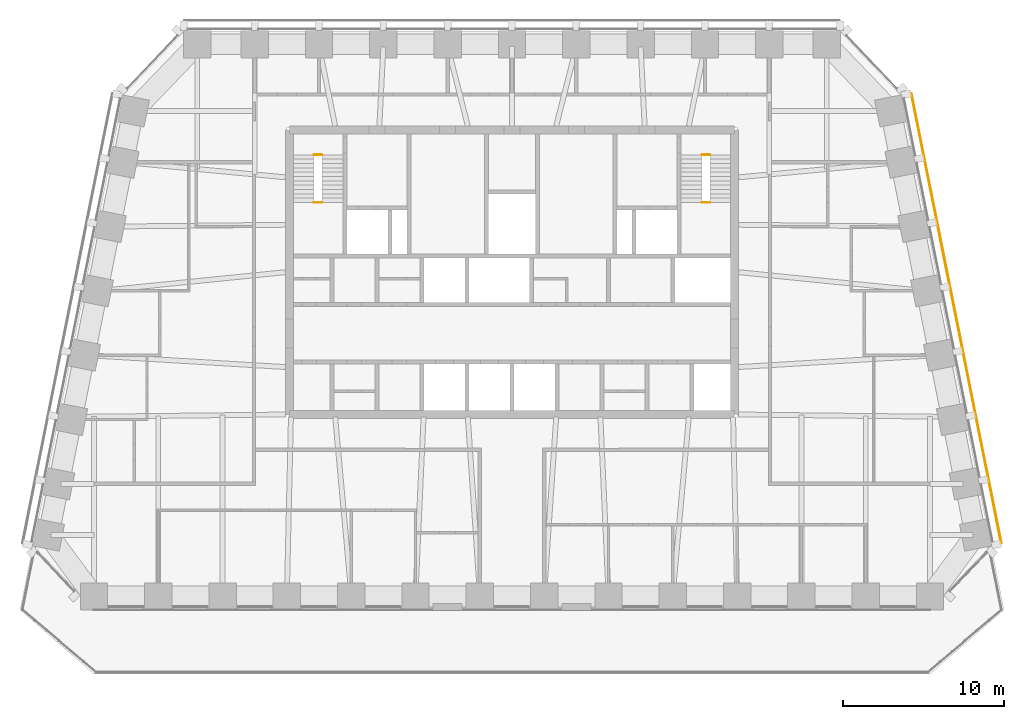
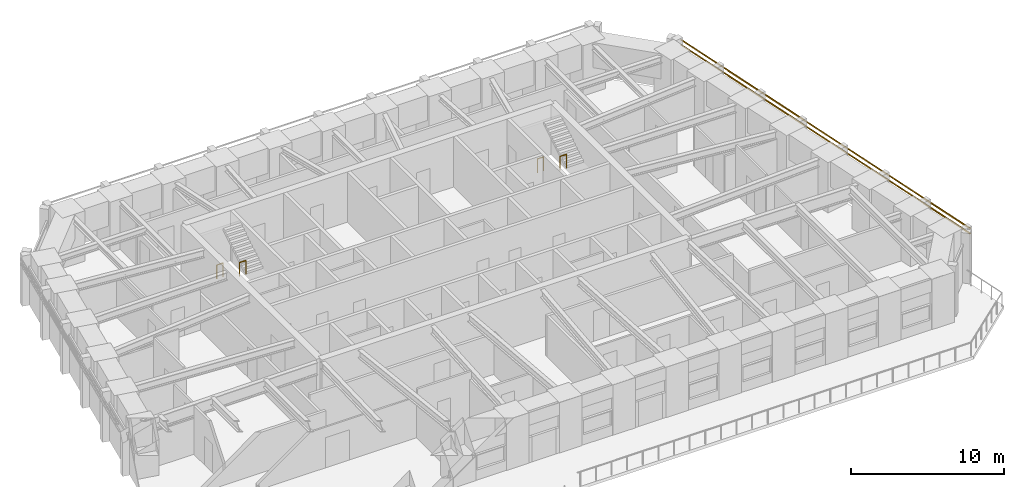
# One storey, part 10 of 11: 4 railings, 2 shading devices.
"""IFC4 building model written with IfcOpenShell, lengths in metres."""

from ifc_helpers import new_model, si_unit, direction, frame, origin, origin_2d, place, context, subcontext, project, spatial, rectangle, circle, extrude, material, material_profile, profile_set, type_object, element, save


model = new_model("IFC4")

# Units and contexts
model_context = context("Model", 3, precision=1e-05, world=origin(), true_north=direction((0.0, 1.0)))
body_context = subcontext(model_context, "Body", "Model", "MODEL_VIEW")
ifc_project = project(units=[si_unit("LENGTHUNIT", "METRE"), si_unit("AREAUNIT", "SQUARE_METRE"), si_unit("VOLUMEUNIT", "CUBIC_METRE"), si_unit("PLANEANGLEUNIT", "RADIAN"), si_unit("MASSUNIT", "GRAM", prefix="KILO")], contexts=[model_context])

# Site, building, storey
site_placement = place(None, origin())
site = spatial("IfcSite", under=ifc_project, at=site_placement, CompositionType="ELEMENT")
building_placement = place(site_placement, origin())
building = spatial("IfcBuilding", under=site, at=building_placement, Name="Isbrekke Arena Tower", CompositionType="ELEMENT")
storey_placement = place(building_placement, frame((0.0, 0.0, 284.0)))
storey = spatial("IfcBuildingStorey", under=building, at=storey_placement, Name="L66", CompositionType="ELEMENT", Elevation=284.0)

# Shading devices
ifc_material_1 = material(Name="Terracotta", Category="masonry")
ifc_material_profile = material_profile(ifc_material_1, rectangle(XDim=0.06005859375, YDim=0.06005859375, at=origin_2d()), Name="BAGUETTE 60X60")
ifc_profile_set = profile_set([ifc_material_profile], Name="Terracotta")
shading_device_type = type_object("IfcShadingDeviceType", Name="BG1 TERRACOTTA BAGUETTE 60 x 60", PredefinedType="USERDEFINED", material=ifc_profile_set)
for number, where, z_axis, x_axis, name in (
    (1, (30.4423828125, -1.87158203125, 3.280029296875), (-0.196119423591, 0.980580017995, 0.0), (-0.980580017995, -0.196119423591, 0.0), "BG1 terracotta baguette E1 L66"),
    (2, (30.4423828125, -1.87158203125, 3.679931640625), (-0.196119423591, 0.980580017995, 0.0), (-0.980580017995, -0.196119423591, 0.0), "BG1 terracotta baguette E2 L66"),
):
    element("IfcShadingDevice", number, at=place(storey_placement, frame(where, z_axis=z_axis, x_axis=x_axis)), inside=storey, type_object=shading_device_type, Name=name, ObjectType="TERRACOTTA BAGUETTE", PredefinedType="USERDEFINED", context=body_context, shape_type="SweptSolid", body=[
        extrude(rectangle(XDim=0.06005859375, YDim=0.06005859375, at=origin_2d()), origin(), (0.0, 0.0, 1.0), 28.554443359375),
    ])

# Railings
ifc_material_2 = material(Name="Steel stair guard, vertical bars, steel handrail", Category="steel")
railing_type = type_object("IfcRailingType", Name="GR3 STAIR WELL GUARD 1100", PredefinedType="GUARDRAIL", material=ifc_material_2)
for number, where, name in (
    (3, (-12.300048828125, 22.300048828125, 0.0), "GR3 stair well guard ST1 L66"),
    (4, (-12.300048828125, 19.330078125, 2.0), "GR3 stair well guard ST1 L66"),
    (5, (11.824951171875, 22.300048828125, 0.0), "GR3 stair well guard ST2 L66"),
    (6, (11.824951171875, 19.330078125, 2.0), "GR3 stair well guard ST2 L66"),
):
    element("IfcRailing", number, at=place(storey_placement, frame(where)), inside=storey, type_object=railing_type, Name=name, PredefinedType="GUARDRAIL", context=body_context, shape_type="SweptSolid", body=[
        extrude(circle(Radius=0.02392578125, at=origin_2d()), frame((0.0, 0.0, 1.076171875), z_axis=(1.0, 0.0, 0.0), x_axis=(0.0, 1.0, 0.0)), (0.0, 0.0, 1.0), 0.47509765625),
        extrude(circle(Radius=0.02099609375, at=origin_2d()), origin(), (0.0, 0.0, 1.0), 1.052001953125),
        extrude(circle(Radius=0.02099609375, at=origin_2d()), frame((0.47509765625, 0.0, 0.0)), (0.0, 0.0, 1.0), 1.052001953125),
    ])

save(model, "model.ifc")
